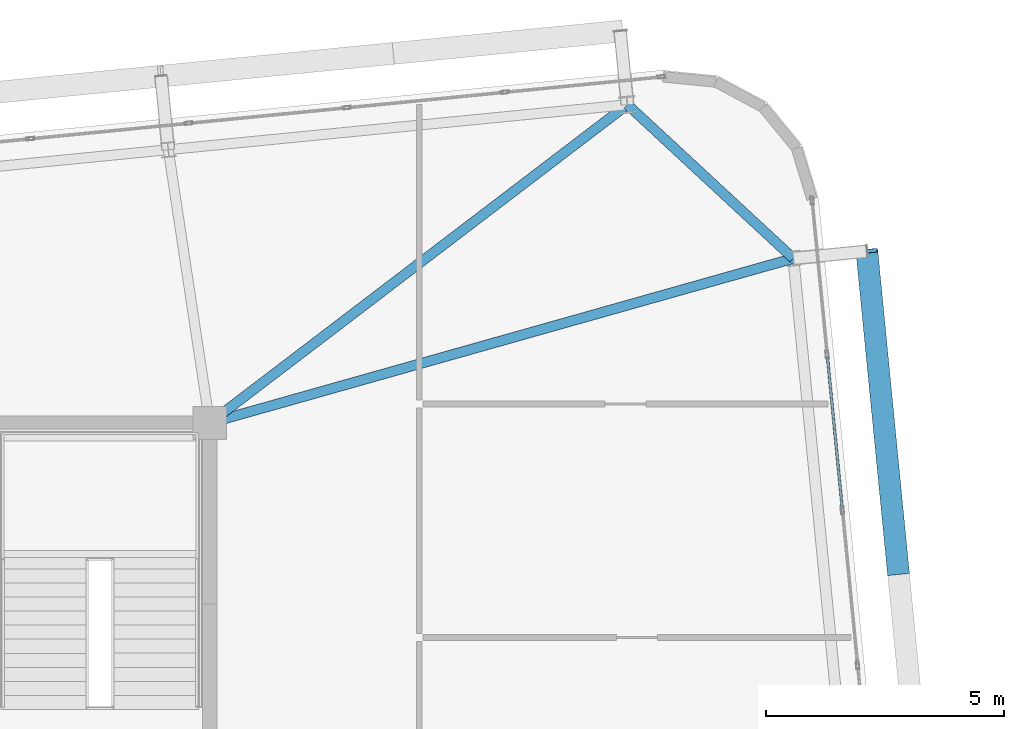
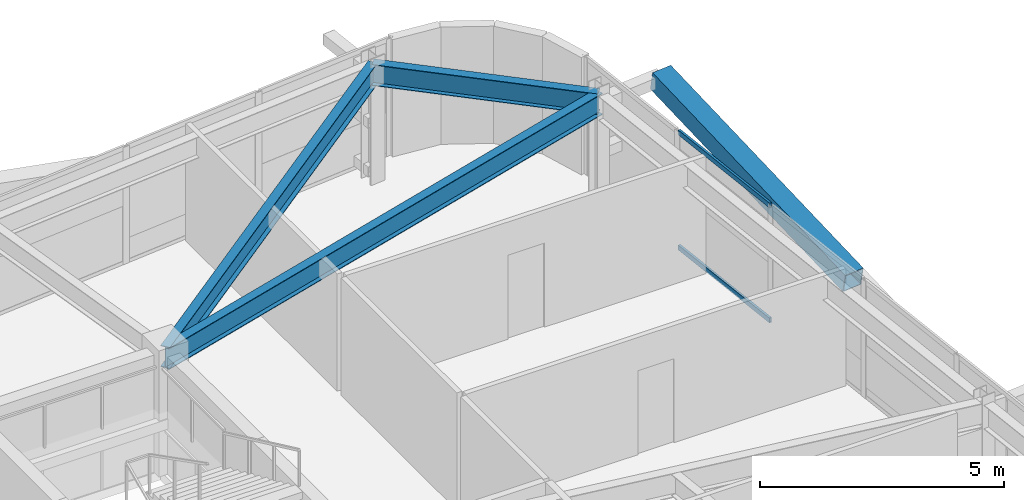
# One storey, part 34 of 53: 3 beams, 3 members, 1 element without a shape of its own.
"""IFC4 building model written with IfcOpenShell, lengths in metres."""

from ifc_helpers import new_model, si_unit, direction, frame, origin, origin_2d, place, context, subcontext, project, spatial, hollow_rectangle, i_section, extrude, source, transform, mapped, material, layer, layer_set, material_profile, profile_set, type_object, element, aggregate, save


model = new_model("IFC4")

# Units and contexts
model_context = context("Model", 3, precision=1e-05, world=origin(), true_north=direction((0.0, 1.0)))
body_context = subcontext(model_context, "Body", "Model", "MODEL_VIEW")
ifc_project = project(units=[si_unit("LENGTHUNIT", "METRE"), si_unit("AREAUNIT", "SQUARE_METRE"), si_unit("VOLUMEUNIT", "CUBIC_METRE"), si_unit("PLANEANGLEUNIT", "RADIAN"), si_unit("MASSUNIT", "GRAM", prefix="KILO")], contexts=[model_context])

# Site, building, storey
site_placement = place(None, origin())
site = spatial("IfcSite", under=ifc_project, at=site_placement, CompositionType="ELEMENT")
building_placement = place(site_placement, origin())
building = spatial("IfcBuilding", under=site, at=building_placement, Name="Taldren Reach Tower", CompositionType="ELEMENT")
storey_placement = place(building_placement, frame((0.0, 0.0, 71.39990234375)))
storey = spatial("IfcBuildingStorey", under=building, at=storey_placement, Name="L21", CompositionType="ELEMENT", Elevation=71.39990234375)

# Beams
ifc_material_1 = material(Name="Steel Gr 350 (350PLUS)", Category="steel")
ifc_material_profile_1 = material_profile(ifc_material_1, i_section(OverallWidth=0.208984375, OverallDepth=0.528076171875, WebThickness=0.009521484375, FlangeThickness=0.01318359375, at=origin_2d()), Name="530UB82.0")
ifc_profile_set_1 = profile_set([ifc_material_profile_1], Name="Steel Gr 350 (350PLUS)")
beam_type_1 = type_object("IfcBeamType", Name="SP-UB530B", PredefinedType="SPANDREL", material=ifc_profile_set_1)
shared_shape_1 = source(origin(), body_context, "Body", "SweptSolid", [
    extrude(i_section(OverallWidth=0.208984375, OverallDepth=0.528076171875, WebThickness=0.009521484375, FlangeThickness=0.01318359375, at=origin_2d()), origin(), (0.0, 0.0, 1.0), 4.74609375),
])
beam_1_placement = place(storey_placement, frame((63.247314453125, 35.454345703125, 2.666015625), z_axis=(-0.733547883762, 0.679637772809, 0.0), x_axis=(-0.679637772809, -0.733547883762, 0.0)))
element("IfcBeam", 1, at=beam_1_placement, inside=storey, type_object=beam_type_1, Name="Perimeter spandrel B2 E3-N6 L21", PredefinedType="SPANDREL", context=body_context, shape_type="MappedRepresentation", body=[
    mapped(shared_shape_1, transform((0.0, 0.0, 0.0), scale=1.0)),
])
ifc_material_profile_2 = material_profile(ifc_material_1, i_section(OverallWidth=0.208984375, OverallDepth=0.532958984375, WebThickness=0.01025390625, FlangeThickness=0.015625, at=origin_2d()), Name="530UB92.4")
ifc_profile_set_2 = profile_set([ifc_material_profile_2], Name="Steel Gr 350 (350PLUS)")
beam_type_2 = type_object("IfcBeamType", Name="BM-UB530A", PredefinedType="BEAM", material=ifc_profile_set_2)
shared_shape_2 = source(origin(), body_context, "Body", "SweptSolid", [
    extrude(i_section(OverallWidth=0.208984375, OverallDepth=0.532958984375, WebThickness=0.01025390625, FlangeThickness=0.015625, at=origin_2d()), origin(), (0.0, 0.0, 1.0), 12.72509765625),
])
beam_2_placement = place(storey_placement, frame((51.0, 32.0, 2.66357421875), z_axis=(0.962450190096, 0.271458342264, 0.0), x_axis=(-0.271458342264, 0.962450190096, 0.0)))
element("IfcBeam", 2, at=beam_2_placement, inside=storey, type_object=beam_type_2, Name="Primary floor girder B2-E3 L21", PredefinedType="BEAM", context=body_context, shape_type="MappedRepresentation", body=[
    mapped(shared_shape_2, transform((0.0, 0.0, 0.0), scale=1.0)),
])
shared_shape_3 = source(origin(), body_context, "Body", "SweptSolid", [
    extrude(i_section(OverallWidth=0.208984375, OverallDepth=0.532958984375, WebThickness=0.01025390625, FlangeThickness=0.015625, at=origin_2d()), origin(), (0.0, 0.0, 1.0), 11.02099609375),
])
beam_3_placement = place(storey_placement, frame((51.0, 32.0, 2.66357421875), z_axis=(0.795380356763, 0.606110623629, 0.0), x_axis=(-0.606110623629, 0.795380356763, 0.0)))
element("IfcBeam", 3, at=beam_3_placement, inside=storey, type_object=beam_type_2, Name="Primary floor girder B2-N6 L21", PredefinedType="BEAM", context=body_context, shape_type="MappedRepresentation", body=[
    mapped(shared_shape_3, transform((0.0, 0.0, 0.0), scale=1.0)),
])

# Member
ifc_material_2 = material(Name="Steel Gr 450 (C450L0)", Category="steel")
ifc_material_profile_3 = material_profile(ifc_material_2, hollow_rectangle(XDim=0.4599609375, YDim=0.4599609375, WallThickness=0.01611328125, at=origin_2d()), Name="460x460x16.0SHS")
ifc_profile_set_3 = profile_set([ifc_material_profile_3], Name="Steel Gr 450 (C450L0)")
member_type_1 = type_object("IfcMemberType", Name="MB-EXO457", PredefinedType="BRACE", material=ifc_profile_set_3)
shared_shape_4 = source(origin(), body_context, "Body", "SweptSolid", [
    extrude(hollow_rectangle(XDim=0.4599609375, YDim=0.4599609375, WallThickness=0.01611328125, at=origin_2d()), origin(), (0.0, 0.0, 1.0), 6.883056640625),
])
member_1_placement = place(storey_placement, frame((65.450927734375, 28.86279296875, 1.43505859375), z_axis=(-0.09605145821, 0.97959718347, 0.176531797456), x_axis=(-0.995227290009, -0.097584021339, 0.0)))
element("IfcMember", 4, at=member_1_placement, inside=storey, type_object=member_type_1, Name="Exoskeleton Diagrid Brace B2-E2 L21", PredefinedType="BRACE", context=body_context, shape_type="MappedRepresentation", body=[
    mapped(shared_shape_4, transform((0.0, 0.0, 0.0), scale=1.0)),
])

# Curtain wall, members
ifc_material_3 = material(Name="Aluminium and Low-E Glass Unitised System", Category="aluminium")
ifc_layer = layer(ifc_material_3, 0.159912109375)
ifc_layer_set = layer_set([ifc_layer], Name="Aluminium and Low-E Glass Unitised System")
curtain_wall_type = type_object("IfcCurtainWallType", Name="CW-SYS-3", PredefinedType="NOTDEFINED", material=ifc_layer_set)
curtain_wall_placement = place(storey_placement, origin())
curtain_wall = element("IfcCurtainWall", 5, at=curtain_wall_placement, inside=storey, type_object=curtain_wall_type, Name="Unitised curtain wall CW-L21-E", PredefinedType="NOTDEFINED")
ifc_material_4 = material(Name="Anodised Aluminium 6063-T6", Category="aluminium")
ifc_material_profile_4 = material_profile(ifc_material_4, hollow_rectangle(XDim=0.054931640625, YDim=0.1201171875, WallThickness=0.0029296875, at=origin_2d()), Name="ALU-120x55x3RHS")
ifc_profile_set_4 = profile_set([ifc_material_profile_4], Name="Anodised Aluminium 6063-T6")
member_type_2 = type_object("IfcMemberType", Name="CW-TRN-135", PredefinedType="USERDEFINED", material=ifc_profile_set_4)
shared_shape_5 = source(origin(), body_context, "Body", "SweptSolid", [
    extrude(hollow_rectangle(XDim=0.054931640625, YDim=0.1201171875, WallThickness=0.0029296875, at=origin_2d()), origin(), (0.0, 0.0, 1.0), 3.212890625),
])
member_2_placement = place(storey_placement, frame((64.274169921875, 30.206298828125, 0.027587890625), z_axis=(-0.097569948235, 0.995228669805, 0.0), x_axis=(-0.995228669805, -0.097569948235, 0.0)))
member_2 = element("IfcMember", 6, at=member_2_placement, type_object=member_type_2, Name="CW-3 transom 8.1", ObjectType="TRANSOM", PredefinedType="USERDEFINED", context=body_context, shape_type="MappedRepresentation", body=[
    mapped(shared_shape_5, transform((0.0, 0.0, 0.0), scale=1.0)),
])
member_3_placement = place(storey_placement, frame((64.274169921875, 30.206298828125, 2.902587890625), z_axis=(-0.097569948235, 0.995228669805, 0.0), x_axis=(-0.995228669805, -0.097569948235, 0.0)))
member_3 = element("IfcMember", 7, at=member_3_placement, type_object=member_type_2, Name="CW-3 transom 8.2", ObjectType="TRANSOM", PredefinedType="USERDEFINED", context=body_context, shape_type="MappedRepresentation", body=[
    mapped(shared_shape_5, transform((0.0, 0.0, 0.0), scale=1.0)),
])
aggregate(curtain_wall, [member_2, member_3])

save(model, "model.ifc")
